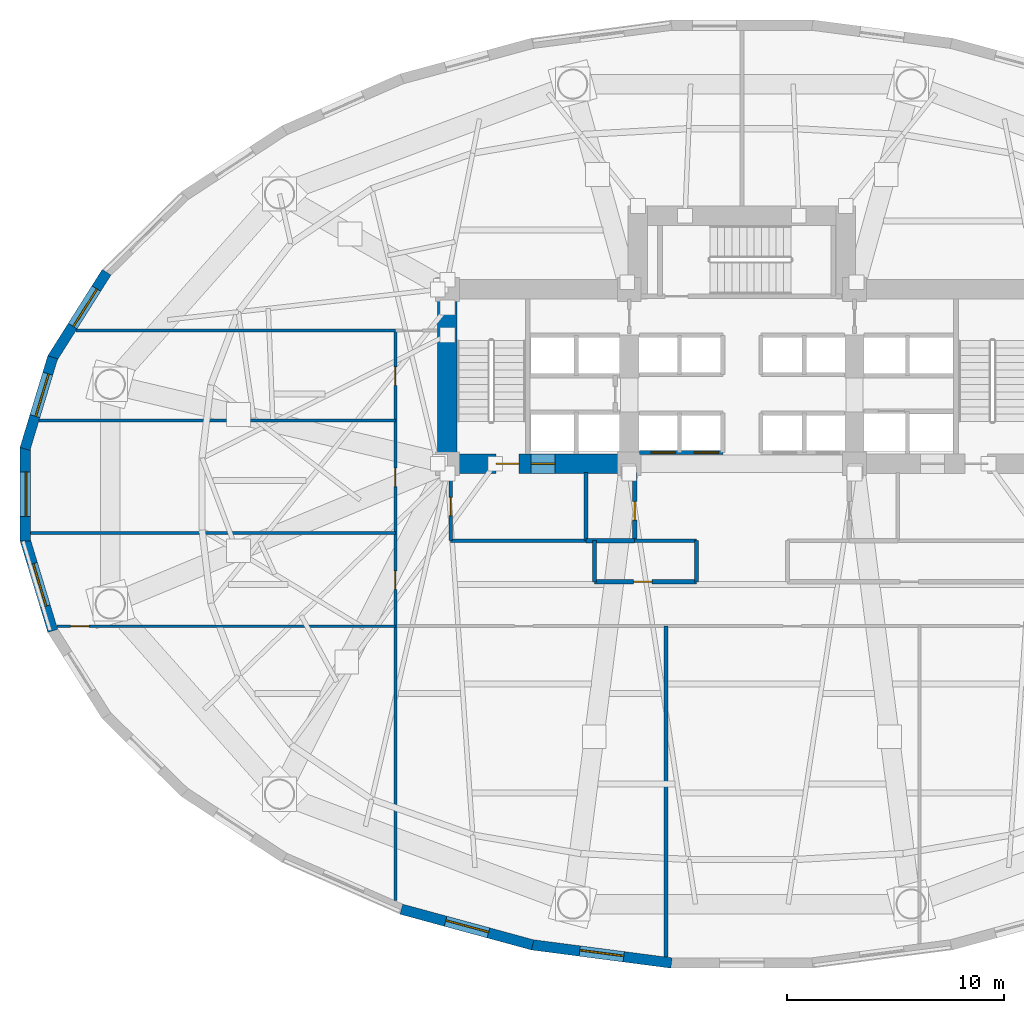
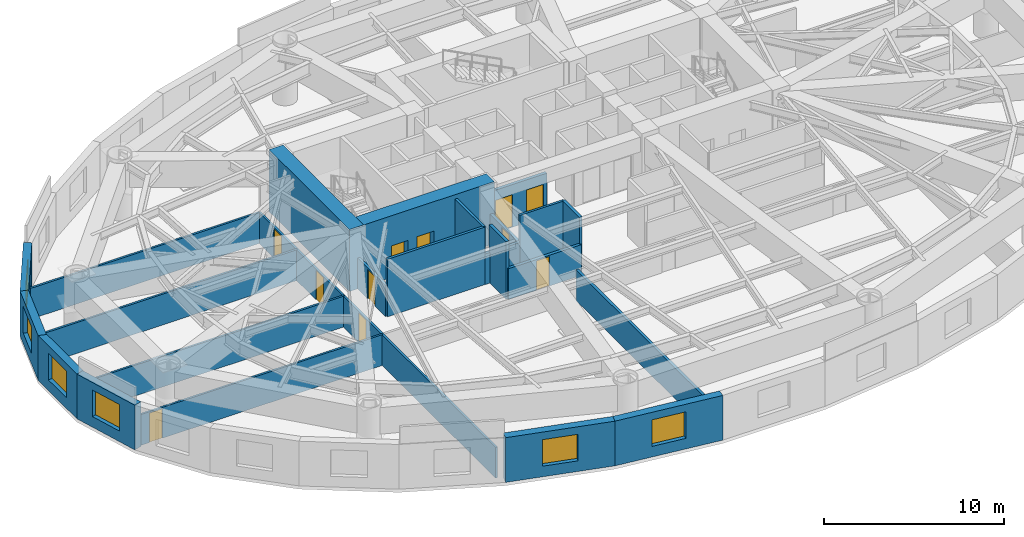
# One storey, part 5 of 14: 24 walls, 11 doors, 6 windows, 17 openings.
"""IFC4 building model written with IfcOpenShell, lengths in metres."""

from ifc_helpers import new_model, si_unit, direction, frame, frame_2d, origin, place, context, subcontext, project, spatial, rectangle, extrude, material, layer, layer_set, type_object, element, fill, save


model = new_model("IFC4")

# Units and contexts
model_context = context("Model", 3, precision=1e-05, world=origin(), true_north=direction((0.0, 1.0)))
body_context = subcontext(model_context, "Body", "Model", "MODEL_VIEW")
ifc_project = project(units=[si_unit("LENGTHUNIT", "METRE"), si_unit("AREAUNIT", "SQUARE_METRE"), si_unit("VOLUMEUNIT", "CUBIC_METRE"), si_unit("PLANEANGLEUNIT", "RADIAN"), si_unit("MASSUNIT", "GRAM", prefix="KILO")], contexts=[model_context])

# Site, building, storey
site_placement = place(None, origin())
site = spatial("IfcSite", under=ifc_project, at=site_placement, CompositionType="ELEMENT")
building_placement = place(site_placement, origin())
building = spatial("IfcBuilding", under=site, at=building_placement, Name="Keldmark Tower", CompositionType="ELEMENT")
storey_placement = place(building_placement, frame((0.0, 0.0, 22.800048828125)))
storey = spatial("IfcBuildingStorey", under=building, at=storey_placement, Name="L05", CompositionType="ELEMENT", Elevation=22.800048828125)

# Wall, openings, doors
ifc_material_1 = material(Name="Acoustic Double-Layer Gypsum Corridor Partition", Category="gypsum")
ifc_layer_1 = layer(ifc_material_1, 0.139892578125)
ifc_layer_set_1 = layer_set([ifc_layer_1], Name="Acoustic Double-Layer Gypsum Corridor Partition")
wall_type_1 = type_object("IfcWallType", Name="Acoustic Corridor Partition 140 mm", PredefinedType="PARTITIONING", material=ifc_layer_set_1)
wall_1_placement = place(storey_placement, frame((-16.0, -18.778076171875, 0.0), z_axis=(0.0, 0.0, 1.0), x_axis=(0.0, 1.0, 0.0)))
wall_1 = element("IfcWall", 1, at=wall_1_placement, inside=storey, type_object=wall_type_1, Name="L05 Acoustic Corridor Partition 140 mm COR-W", PredefinedType="PARTITIONING", context=body_context, shape_type="SweptSolid", body=[
    extrude(rectangle(XDim=26.328125, YDim=0.139892578125, at=frame_2d((13.1640625, 0.0))), origin(), (0.0, 0.0, 1.0), 2.08984375),
])
opening_1_placement = place(wall_1_placement, frame((14.37841796875, 0.0, 0.0)))
opening_1 = element("IfcOpeningElement", 2, at=opening_1_placement, cuts=wall_1, Name="Opening D-CUD85", PredefinedType="OPENING", context=body_context, shape_type="SweptSolid", body=[
    extrude(rectangle(XDim=0.85009765625, YDim=2.0, at=frame_2d((0.425048828125, 1.0))), frame((0.0, 0.079833984375, 0.0), z_axis=(0.0, -1.0, 0.0), x_axis=(1.0, 0.0, 0.0)), (0.0, 0.0, 1.0), 0.159912109375),
])
opening_2_placement = place(wall_1_placement, frame((19.12841796875, 0.0, 0.0)))
opening_2 = element("IfcOpeningElement", 3, at=opening_2_placement, cuts=wall_1, Name="Opening D-CUD85", PredefinedType="OPENING", context=body_context, shape_type="SweptSolid", body=[
    extrude(rectangle(XDim=0.85009765625, YDim=2.0, at=frame_2d((0.425048828125, 1.0))), frame((0.0, 0.079833984375, 0.0), z_axis=(0.0, -1.0, 0.0), x_axis=(1.0, 0.0, 0.0)), (0.0, 0.0, 1.0), 0.159912109375),
])
opening_3_placement = place(wall_1_placement, frame((23.80322265625, 0.0, 0.0)))
opening_3 = element("IfcOpeningElement", 4, at=opening_3_placement, cuts=wall_1, Name="Opening D-CUD85", PredefinedType="OPENING", context=body_context, shape_type="SweptSolid", body=[
    extrude(rectangle(XDim=0.85009765625, YDim=2.0, at=frame_2d((0.425048828125, 1.0))), frame((0.0, 0.079833984375, 0.0), z_axis=(0.0, -1.0, 0.0), x_axis=(1.0, 0.0, 0.0)), (0.0, 0.0, 1.0), 0.159912109375),
])
ifc_material_2 = material(Name="Compact Flush Solid-Core Timber Door", Category="wood")
door_type_1 = type_object("IfcDoorType", Name="Compact Unrated Door 850x2000", OperationType="NOTDEFINED", PredefinedType="DOOR", material=ifc_material_2)
door_1_placement = place(opening_1_placement, origin())
door_1 = element("IfcDoor", 5, at=door_1_placement, inside=storey, type_object=door_type_1, Name="L05 Compact Unrated Door 850x2000 D-WR-1-L05", OperationType="SINGLE_SWING_LEFT", OverallHeight=2.0, OverallWidth=0.85009765625, PredefinedType="DOOR", context=body_context, shape_type="SweptSolid", body=[
    extrude(rectangle(XDim=0.85009765625, YDim=2.0, at=frame_2d((0.425048828125, 1.0))), frame((0.0, 0.02490234375, 0.0), z_axis=(0.0, -1.0, 0.0), x_axis=(1.0, 0.0, 0.0)), (0.0, 0.0, 1.0), 0.050048828125),
])
fill(opening_1, door_1)
door_2_placement = place(opening_2_placement, origin())
door_2 = element("IfcDoor", 6, at=door_2_placement, inside=storey, type_object=door_type_1, Name="L05 Compact Unrated Door 850x2000 D-WR-2-L05", OperationType="SINGLE_SWING_RIGHT", OverallHeight=2.0, OverallWidth=0.85009765625, PredefinedType="DOOR", context=body_context, shape_type="SweptSolid", body=[
    extrude(rectangle(XDim=0.85009765625, YDim=2.0, at=frame_2d((0.425048828125, 1.0))), frame((0.0, 0.02490234375, 0.0), z_axis=(0.0, -1.0, 0.0), x_axis=(1.0, 0.0, 0.0)), (0.0, 0.0, 1.0), 0.050048828125),
])
fill(opening_2, door_2)
door_3_placement = place(opening_3_placement, origin())
door_3 = element("IfcDoor", 7, at=door_3_placement, inside=storey, type_object=door_type_1, Name="L05 Compact Unrated Door 850x2000 D-WR-3-L05", OperationType="SINGLE_SWING_LEFT", OverallHeight=2.0, OverallWidth=0.85009765625, PredefinedType="DOOR", context=body_context, shape_type="SweptSolid", body=[
    extrude(rectangle(XDim=0.85009765625, YDim=2.0, at=frame_2d((0.425048828125, 1.0))), frame((0.0, 0.02490234375, 0.0), z_axis=(0.0, -1.0, 0.0), x_axis=(1.0, 0.0, 0.0)), (0.0, 0.0, 1.0), 0.050048828125),
])
fill(opening_3, door_3)

# Wall
ifc_material_3 = material(Name="STC-58 Insulated Tenant Demising Gypsum Partition", Category="gypsum")
ifc_layer_2 = layer(ifc_material_3, 0.175048828125)
ifc_layer_set_2 = layer_set([ifc_layer_2], Name="STC-58 Insulated Tenant Demising Gypsum Partition")
wall_type_2 = type_object("IfcWallType", Name="Demising Suite Partition 175 mm", PredefinedType="PARTITIONING", material=ifc_layer_set_2)
wall_2_placement = place(storey_placement, frame((-3.5, -21.373779296875, 0.0), z_axis=(0.0, 0.0, 1.0), x_axis=(0.0, 1.0, 0.0)))
element("IfcWall", 8, at=wall_2_placement, inside=storey, type_object=wall_type_2, Name="L05 Demising Suite Partition 175 mm S-DIV-1", PredefinedType="PARTITIONING", context=body_context, shape_type="SweptSolid", body=[
    extrude(rectangle(XDim=15.273681640625, YDim=0.175048828125, at=frame_2d((7.63671875, 0.0))), origin(), (0.0, 0.0, 1.0), 2.08984375),
])

# Wall, opening, door
ifc_material_4 = material(Name="Heavy Acoustic Plumbing Chase Gypsum Assembly", Category="gypsum")
ifc_layer_3 = layer(ifc_material_4, 0.18994140625)
ifc_layer_set_3 = layer_set([ifc_layer_3], Name="Heavy Acoustic Plumbing Chase Gypsum Assembly")
wall_type_3 = type_object("IfcWallType", Name="Heavy Wet Wall 190 mm", PredefinedType="PLUMBINGWALL", material=ifc_layer_set_3)
wall_3_placement = place(storey_placement, frame((-6.800048828125, -4.050048828125, 0.0), z_axis=(0.0, 0.0, 1.0), x_axis=(1.0, 0.0, 0.0)))
wall_3 = element("IfcWall", 9, at=wall_3_placement, inside=storey, type_object=wall_type_3, Name="L05 Heavy Wet Wall 190 mm SPK-W-S", PredefinedType="PLUMBINGWALL", context=body_context, shape_type="SweptSolid", body=[
    extrude(rectangle(XDim=4.699951171875, YDim=0.18994140625, at=frame_2d((2.35009765625, 0.0))), origin(), (0.0, 0.0, 1.0), 2.08984375),
])
opening_4_placement = place(wall_3_placement, frame((1.800048828125, 0.0, 0.0)))
opening_4 = element("IfcOpeningElement", 10, at=opening_4_placement, cuts=wall_3, Name="Opening D-CUD85", PredefinedType="OPENING", context=body_context, shape_type="SweptSolid", body=[
    extrude(rectangle(XDim=0.85009765625, YDim=2.0, at=frame_2d((0.425048828125, 1.0))), frame((0.0, 0.10498046875, 0.0), z_axis=(0.0, -1.0, 0.0), x_axis=(1.0, 0.0, 0.0)), (0.0, 0.0, 1.0), 0.2099609375),
])
door_4_placement = place(opening_4_placement, origin())
door_4 = element("IfcDoor", 11, at=door_4_placement, inside=storey, type_object=door_type_1, Name="L05 Compact Unrated Door 850x2000 D-SPKW1-L05", OperationType="SINGLE_SWING_LEFT", OverallHeight=2.0, OverallWidth=0.85009765625, PredefinedType="DOOR", context=body_context, shape_type="SweptSolid", body=[
    extrude(rectangle(XDim=0.85009765625, YDim=2.0, at=frame_2d((0.425048828125, 1.0))), frame((0.0, 0.02490234375, 0.0), z_axis=(0.0, -1.0, 0.0), x_axis=(1.0, 0.0, 0.0)), (0.0, 0.0, 1.0), 0.050048828125),
])
fill(opening_4, door_4)

# Walls
for number, where, z_axis, x_axis, name in (
    (12, (-6.800048828125, -4.050048828125, 0.0), (0.0, 0.0, 1.0), (0.0, 1.0, 0.0), "L05 Heavy Wet Wall 190 mm SPK-W-W"),
    (13, (-2.10009765625, -4.050048828125, 0.0), (0.0, 0.0, 1.0), (0.0, 1.0, 0.0), "L05 Heavy Wet Wall 190 mm SPK-W-E"),
):
    element("IfcWall", number, at=place(storey_placement, frame(where, z_axis=z_axis, x_axis=x_axis)), inside=storey, type_object=wall_type_3, Name=name, PredefinedType="PLUMBINGWALL", context=body_context, shape_type="SweptSolid", body=[
        extrude(rectangle(XDim=1.900146484375, YDim=0.18994140625, at=frame_2d((0.9501953125, 0.0))), origin(), (0.0, 0.0, 1.0), 3.89990234375),
    ])
ifc_material_5 = material(Name="Acoustic Gypsum Board Interior Partition", Category="gypsum")
ifc_layer_4 = layer(ifc_material_5, 0.1298828125)
ifc_layer_set_4 = layer_set([ifc_layer_4], Name="Acoustic Gypsum Board Interior Partition")
wall_type_4 = type_object("IfcWallType", Name="Interior Partition 130 mm", PredefinedType="PARTITIONING", material=ifc_layer_set_4)
wall_4_placement = place(storey_placement, frame((-30.74658203125, 7.550048828125, 0.0), z_axis=(0.0, 0.0, 1.0), x_axis=(1.0, 0.0, 0.0)))
element("IfcWall", 14, at=wall_4_placement, inside=storey, type_object=wall_type_4, Name="L05 Interior Partition 130 mm W-CAP-N", PredefinedType="PARTITIONING", context=body_context, shape_type="SweptSolid", body=[
    extrude(rectangle(XDim=14.74658203125, YDim=0.1298828125, at=frame_2d((7.373291015625, 0.0))), origin(), (0.0, 0.0, 1.0), 2.08984375),
])

# Wall, opening, door
wall_5_placement = place(storey_placement, frame((-31.63427734375, -6.10009765625, 0.0), z_axis=(0.0, 0.0, 1.0), x_axis=(1.0, 0.0, 0.0)))
wall_5 = element("IfcWall", 15, at=wall_5_placement, inside=storey, type_object=wall_type_4, Name="L05 Interior Partition 130 mm W-CAP-S", PredefinedType="PARTITIONING", context=body_context, shape_type="SweptSolid", body=[
    extrude(rectangle(XDim=15.63427734375, YDim=0.1298828125, at=frame_2d((7.817138671875, 0.0))), origin(), (0.0, 0.0, 1.0), 2.08984375),
])
opening_5_placement = place(wall_5_placement, frame((0.6298828125, 0.0, 0.0)))
opening_5 = element("IfcOpeningElement", 16, at=opening_5_placement, cuts=wall_5, Name="Opening D-CUD85", PredefinedType="OPENING", context=body_context, shape_type="SweptSolid", body=[
    extrude(rectangle(XDim=0.85009765625, YDim=2.0, at=frame_2d((0.425048828125, 1.0))), frame((0.0, 0.074951171875, 0.0), z_axis=(0.0, -1.0, 0.0), x_axis=(1.0, 0.0, 0.0)), (0.0, 0.0, 1.0), 0.14990234375),
])
door_5_placement = place(opening_5_placement, origin())
door_5 = element("IfcDoor", 17, at=door_5_placement, inside=storey, type_object=door_type_1, Name="L05 Compact Unrated Door 850x2000 D-WRSW-L05", OperationType="SINGLE_SWING_LEFT", OverallHeight=2.0, OverallWidth=0.85009765625, PredefinedType="DOOR", context=body_context, shape_type="SweptSolid", body=[
    extrude(rectangle(XDim=0.85009765625, YDim=2.0, at=frame_2d((0.425048828125, 1.0))), frame((0.0, 0.02490234375, 0.0), z_axis=(0.0, -1.0, 0.0), x_axis=(1.0, 0.0, 0.0)), (0.0, 0.0, 1.0), 0.050048828125),
])
fill(opening_5, door_5)

# Walls
wall_6_placement = place(storey_placement, frame((-32.8505859375, -1.800048828125, 0.0), z_axis=(0.0, 0.0, 1.0), x_axis=(1.0, 0.0, 0.0)))
element("IfcWall", 18, at=wall_6_placement, inside=storey, type_object=wall_type_4, Name="L05 Interior Partition 130 mm W-DIV-1", PredefinedType="PARTITIONING", context=body_context, shape_type="SweptSolid", body=[
    extrude(rectangle(XDim=16.8505859375, YDim=0.1298828125, at=frame_2d((8.42529296875, 0.0))), origin(), (0.0, 0.0, 1.0), 2.08984375),
])
wall_7_placement = place(storey_placement, frame((-32.4521484375, 3.39990234375, 0.0), z_axis=(0.0, 0.0, 1.0), x_axis=(1.0, 0.0, 0.0)))
element("IfcWall", 19, at=wall_7_placement, inside=storey, type_object=wall_type_4, Name="L05 Interior Partition 130 mm W-DIV-2", PredefinedType="PARTITIONING", context=body_context, shape_type="SweptSolid", body=[
    extrude(rectangle(XDim=16.4521484375, YDim=0.1298828125, at=frame_2d((8.22607421875, 0.0))), origin(), (0.0, 0.0, 1.0), 2.08984375),
])
ifc_material_6 = material(Name="Concrete C70/85", Category="concrete")
ifc_layer_5 = layer(ifc_material_6, 0.89990234375)
ifc_layer_set_5 = layer_set([ifc_layer_5], Name="Concrete C70/85")
wall_type_5 = type_object("IfcWallType", Name="Lower Core Shear Wall 900 mm", PredefinedType="SHEAR", material=ifc_layer_set_5)
wall_8_placement = place(storey_placement, frame((-13.60009765625, 0.949951171875, 0.0), z_axis=(0.0, 0.0, 1.0), x_axis=(0.0, 1.0, 0.0)))
element("IfcWall", 20, at=wall_8_placement, inside=storey, type_object=wall_type_5, Name="L05 West Core Outer Shear Wall", PredefinedType="SHEAR", context=body_context, shape_type="SweptSolid", body=[
    extrude(rectangle(XDim=8.949951171875, YDim=0.89990234375, at=frame_2d((4.47509765625, 0.0))), origin(), (0.0, 0.0, 1.0), 4.199951171875),
])

# Wall, openings, doors
wall_9_placement = place(storey_placement, frame((-4.75, 1.39990234375, 0.0), z_axis=(0.0, 0.0, 1.0), x_axis=(-1.0, 0.0, 0.0)))
wall_9 = element("IfcWall", 21, at=wall_9_placement, inside=storey, type_object=wall_type_5, Name="L05 West Core South Shear Wall", PredefinedType="SHEAR", context=body_context, shape_type="SweptSolid", body=[
    extrude(rectangle(XDim=9.300048828125, YDim=0.89990234375, at=frame_2d((4.64990234375, 0.0))), origin(), (0.0, 0.0, 1.0), 4.199951171875),
])
opening_6_placement = place(wall_9_placement, frame((5.550048828125, 0.0, 0.0)))
opening_6 = element("IfcOpeningElement", 22, at=opening_6_placement, cuts=wall_9, Name="Opening D-ST105", PredefinedType="OPENING", context=body_context, shape_type="SweptSolid", body=[
    extrude(rectangle(XDim=1.050048828125, YDim=2.14990234375, at=frame_2d((0.52490234375, 1.074951171875))), frame((0.0, 0.4599609375, 0.0), z_axis=(0.0, -1.0, 0.0), x_axis=(1.0, 0.0, 0.0)), (0.0, 0.0, 1.0), 0.919921875),
])
opening_7_placement = place(wall_9_placement, frame((3.8798828125, 0.0, 0.0)))
opening_7 = element("IfcOpeningElement", 23, at=opening_7_placement, cuts=wall_9, Name="Opening LD-110", PredefinedType="OPENING", context=body_context, shape_type="SweptSolid", body=[
    extrude(rectangle(XDim=1.10009765625, YDim=2.199951171875, at=frame_2d((0.550048828125, 1.10009765625))), frame((0.0, 0.4599609375, 0.0), z_axis=(0.0, -1.0, 0.0), x_axis=(1.0, 0.0, 0.0)), (0.0, 0.0, 1.0), 0.919921875),
])
ifc_material_7 = material(Name="Brushed Bronze Hoistway Sliding Leaf", Category="metal")
door_type_2 = type_object("IfcDoorType", Name="Lift Landing Sliding Door 1100x2200", OperationType="SLIDING_TO_LEFT", PredefinedType="DOOR", material=ifc_material_7)
door_6_placement = place(opening_7_placement, origin())
door_6 = element("IfcDoor", 24, at=door_6_placement, inside=storey, type_object=door_type_2, Name="L05 Lift Landing Sliding Door 1100x2200 LD-EL-FS1-L05", OperationType="SLIDING_TO_LEFT", OverallHeight=2.199951171875, OverallWidth=1.10009765625, PredefinedType="DOOR", context=body_context, shape_type="SweptSolid", body=[
    extrude(rectangle(XDim=1.10009765625, YDim=2.199951171875, at=frame_2d((0.550048828125, 1.10009765625))), frame((0.0, 0.02490234375, 0.0), z_axis=(0.0, -1.0, 0.0), x_axis=(1.0, 0.0, 0.0)), (0.0, 0.0, 1.0), 0.050048828125),
])
fill(opening_7, door_6)
ifc_material_8 = material(Name="Hollow Metal Fire-Rated Door Assembly", Category="metal")
door_type_3 = type_object("IfcDoorType", Name="Stair Fire Door 1050x2150", OperationType="NOTDEFINED", PredefinedType="DOOR", material=ifc_material_8)
door_7_placement = place(opening_6_placement, origin())
door_7 = element("IfcDoor", 25, at=door_7_placement, inside=storey, type_object=door_type_3, Name="L05 Stair Fire Door 1050x2150 D-ST1-L05", OperationType="SINGLE_SWING_RIGHT", OverallHeight=2.14990234375, OverallWidth=1.050048828125, PredefinedType="DOOR", context=body_context, shape_type="SweptSolid", body=[
    extrude(rectangle(XDim=1.050048828125, YDim=2.14990234375, at=frame_2d((0.52490234375, 1.074951171875))), frame((0.0, 0.02490234375, 0.0), z_axis=(0.0, -1.0, 0.0), x_axis=(1.0, 0.0, 0.0)), (0.0, 0.0, 1.0), 0.050048828125),
])
fill(opening_6, door_7)

# Wall, opening, window
ifc_material_9 = material(Name="Ironspot Manganese Brick and Kasota Buff Limestone Cavity Assembly", Category="masonry")
ifc_layer_6 = layer(ifc_material_9, 0.47998046875)
ifc_layer_set_6 = layer_set([ifc_layer_6], Name="Ironspot Manganese Brick and Kasota Buff Limestone Cavity Assembly")
wall_type_6 = type_object("IfcWallType", Name="Podium Brick and Limestone Cavity Wall 480 mm", PredefinedType="STANDARD", material=ifc_layer_set_6)
wall_10_placement = place(storey_placement, frame((-31.8544921875, 6.25830078125, 0.0), z_axis=(0.0, 0.0, 1.0), x_axis=(0.53349762721, 0.845801561693, 0.0)))
wall_10 = element("IfcWall", 26, at=wall_10_placement, inside=storey, type_object=wall_type_6, Name="L05 Exterior Brick and Spandrel Wall 14", PredefinedType="STANDARD", context=body_context, shape_type="SweptSolid", body=[
    extrude(rectangle(XDim=4.710693359375, YDim=0.47998046875, at=frame_2d((2.35546875, 0.0))), origin(), (0.0, 0.0, 1.0), 3.032958984375),
])
opening_8_placement = place(wall_10_placement, frame((1.772705078125, 0.0, 0.719970703125)))
opening_8 = element("IfcOpeningElement", 27, at=opening_8_placement, cuts=wall_10, Name="Opening W-07", PredefinedType="OPENING", context=body_context, shape_type="SweptSolid", body=[
    extrude(rectangle(XDim=2.050048828125, YDim=1.800048828125, at=frame_2d((1.02490234375, 0.89990234375))), frame((0.0, 0.25, 0.0), z_axis=(0.0, -1.0, 0.0), x_axis=(1.0, 0.0, 0.0)), (0.0, 0.0, 1.0), 0.5),
])
ifc_material_10 = material(Name="Thermally Broken Anodized Aluminum and Triple Low-E Argon Glazing", Category="aluminium")
window_type = type_object("IfcWindowType", Name="Podium Mezzanine Punched Window 2050x1800", PartitioningType="DOUBLE_PANEL_VERTICAL", PredefinedType="WINDOW", material=ifc_material_10)
window_1_placement = place(opening_8_placement, origin())
window_1 = element("IfcWindow", 28, at=window_1_placement, inside=storey, type_object=window_type, Name="L05 Deep-Set Window 14", OverallHeight=1.800048828125, OverallWidth=2.050048828125, PartitioningType="SINGLE_PANEL", PredefinedType="WINDOW", context=body_context, shape_type="SweptSolid", body=[
    extrude(rectangle(XDim=2.050048828125, YDim=1.800048828125, at=frame_2d((1.02490234375, 0.89990234375))), frame((0.0, -0.010009765625, 0.0), z_axis=(0.0, -1.0, 0.0), x_axis=(1.0, 0.0, 0.0)), (0.0, 0.0, 1.0), 0.06005859375),
])
fill(opening_8, window_1)

wall_11_placement = place(storey_placement, frame((-33.10888671875, 2.0869140625, 0.0), z_axis=(0.0, 0.0, 1.0), x_axis=(0.289855603468, 0.957070388811, 0.0)))
wall_11 = element("IfcWall", 29, at=wall_11_placement, inside=storey, type_object=wall_type_6, Name="L05 Exterior Brick and Spandrel Wall 15", PredefinedType="STANDARD", context=body_context, shape_type="SweptSolid", body=[
    extrude(rectangle(XDim=4.41943359375, YDim=0.47998046875, at=frame_2d((2.209716796875, 0.0))), origin(), (0.0, 0.0, 1.0), 3.032958984375),
])
opening_9_placement = place(wall_11_placement, frame((1.578857421875, 0.0, 0.719970703125)))
opening_9 = element("IfcOpeningElement", 30, at=opening_9_placement, cuts=wall_11, Name="Opening W-07", PredefinedType="OPENING", context=body_context, shape_type="SweptSolid", body=[
    extrude(rectangle(XDim=2.050048828125, YDim=1.800048828125, at=frame_2d((1.02490234375, 0.89990234375))), frame((0.0, 0.25, 0.0), z_axis=(0.0, -1.0, 0.0), x_axis=(1.0, 0.0, 0.0)), (0.0, 0.0, 1.0), 0.5),
])
window_2_placement = place(opening_9_placement, origin())
window_2 = element("IfcWindow", 31, at=window_2_placement, inside=storey, type_object=window_type, Name="L05 Deep-Set Window 15", OverallHeight=1.800048828125, OverallWidth=2.050048828125, PartitioningType="SINGLE_PANEL", PredefinedType="WINDOW", context=body_context, shape_type="SweptSolid", body=[
    extrude(rectangle(XDim=2.050048828125, YDim=1.800048828125, at=frame_2d((1.02490234375, 0.89990234375))), frame((0.0, -0.010009765625, 0.0), z_axis=(0.0, -1.0, 0.0), x_axis=(1.0, 0.0, 0.0)), (0.0, 0.0, 1.0), 0.06005859375),
])
fill(opening_9, window_2)

wall_12_placement = place(storey_placement, frame((-33.0986328125, -2.156494140625, 0.0), z_axis=(0.0, 0.0, 1.0), x_axis=(0.0, 1.0, 0.0)))
wall_12 = element("IfcWall", 32, at=wall_12_placement, inside=storey, type_object=wall_type_6, Name="L05 Exterior Brick and Spandrel Wall 16", PredefinedType="STANDARD", context=body_context, shape_type="SweptSolid", body=[
    extrude(rectangle(XDim=4.31298828125, YDim=0.47998046875, at=frame_2d((2.156494140625, 0.0))), origin(), (0.0, 0.0, 1.0), 3.032958984375),
])
opening_10_placement = place(wall_12_placement, frame((1.13134765625, 0.0, 0.719970703125)))
opening_10 = element("IfcOpeningElement", 33, at=opening_10_placement, cuts=wall_12, Name="Opening W-07", PredefinedType="OPENING", context=body_context, shape_type="SweptSolid", body=[
    extrude(rectangle(XDim=2.050048828125, YDim=1.800048828125, at=frame_2d((1.02490234375, 0.89990234375))), frame((0.0, 0.25, 0.0), z_axis=(0.0, -1.0, 0.0), x_axis=(1.0, 0.0, 0.0)), (0.0, 0.0, 1.0), 0.5),
])
window_3_placement = place(opening_10_placement, origin())
window_3 = element("IfcWindow", 34, at=window_3_placement, inside=storey, type_object=window_type, Name="L05 Deep-Set Window 16", OverallHeight=1.800048828125, OverallWidth=2.050048828125, PartitioningType="SINGLE_PANEL", PredefinedType="WINDOW", context=body_context, shape_type="SweptSolid", body=[
    extrude(rectangle(XDim=2.050048828125, YDim=1.800048828125, at=frame_2d((1.02490234375, 0.89990234375))), frame((0.0, -0.010009765625, 0.0), z_axis=(0.0, -1.0, 0.0), x_axis=(1.0, 0.0, 0.0)), (0.0, 0.0, 1.0), 0.06005859375),
])
fill(opening_10, window_3)

wall_13_placement = place(storey_placement, frame((-31.827880859375, -6.316650390625, 0.0), z_axis=(0.0, 0.0, 1.0), x_axis=(-0.289855603468, 0.957070388811, 0.0)))
wall_13 = element("IfcWall", 35, at=wall_13_placement, inside=storey, type_object=wall_type_6, Name="L05 Exterior Brick and Spandrel Wall 17", PredefinedType="STANDARD", context=body_context, shape_type="SweptSolid", body=[
    extrude(rectangle(XDim=4.41943359375, YDim=0.47998046875, at=frame_2d((2.209716796875, 0.0))), origin(), (0.0, 0.0, 1.0), 3.032958984375),
])
opening_11_placement = place(wall_13_placement, frame((1.184814453125, 0.0, 0.719970703125)))
opening_11 = element("IfcOpeningElement", 36, at=opening_11_placement, cuts=wall_13, Name="Opening W-07", PredefinedType="OPENING", context=body_context, shape_type="SweptSolid", body=[
    extrude(rectangle(XDim=2.050048828125, YDim=1.800048828125, at=frame_2d((1.02490234375, 0.89990234375))), frame((0.0, 0.25, 0.0), z_axis=(0.0, -1.0, 0.0), x_axis=(1.0, 0.0, 0.0)), (0.0, 0.0, 1.0), 0.5),
])
window_4_placement = place(opening_11_placement, origin())
window_4 = element("IfcWindow", 37, at=window_4_placement, inside=storey, type_object=window_type, Name="L05 Deep-Set Window 17", OverallHeight=1.800048828125, OverallWidth=2.050048828125, PartitioningType="SINGLE_PANEL", PredefinedType="WINDOW", context=body_context, shape_type="SweptSolid", body=[
    extrude(rectangle(XDim=2.050048828125, YDim=1.800048828125, at=frame_2d((1.02490234375, 0.89990234375))), frame((0.0, -0.010009765625, 0.0), z_axis=(0.0, -1.0, 0.0), x_axis=(1.0, 0.0, 0.0)), (0.0, 0.0, 1.0), 0.06005859375),
])
fill(opening_11, window_4)

wall_14_placement = place(storey_placement, frame((-9.66162109375, -20.821044921875, 0.0), z_axis=(0.0, 0.0, 1.0), x_axis=(-0.964936550718, 0.262483243445, 0.0)))
wall_14 = element("IfcWall", 38, at=wall_14_placement, inside=storey, type_object=wall_type_6, Name="L05 Exterior Brick and Spandrel Wall 22", PredefinedType="STANDARD", context=body_context, shape_type="SweptSolid", body=[
    extrude(rectangle(XDim=6.28759765625, YDim=0.47998046875, at=frame_2d((3.143798828125, 0.0))), origin(), (0.0, 0.0, 1.0), 3.032958984375),
])
opening_12_placement = place(wall_14_placement, frame((2.118896484375, 0.0, 0.719970703125)))
opening_12 = element("IfcOpeningElement", 39, at=opening_12_placement, cuts=wall_14, Name="Opening W-07", PredefinedType="OPENING", context=body_context, shape_type="SweptSolid", body=[
    extrude(rectangle(XDim=2.050048828125, YDim=1.800048828125, at=frame_2d((1.02490234375, 0.89990234375))), frame((0.0, 0.25, 0.0), z_axis=(0.0, -1.0, 0.0), x_axis=(1.0, 0.0, 0.0)), (0.0, 0.0, 1.0), 0.5),
])
window_5_placement = place(opening_12_placement, origin())
window_5 = element("IfcWindow", 40, at=window_5_placement, inside=storey, type_object=window_type, Name="L05 Deep-Set Window 22", OverallHeight=1.800048828125, OverallWidth=2.050048828125, PartitioningType="SINGLE_PANEL", PredefinedType="WINDOW", context=body_context, shape_type="SweptSolid", body=[
    extrude(rectangle(XDim=2.050048828125, YDim=1.800048828125, at=frame_2d((1.02490234375, 0.89990234375))), frame((0.0, -0.010009765625, 0.0), z_axis=(0.0, -1.0, 0.0), x_axis=(1.0, 0.0, 0.0)), (0.0, 0.0, 1.0), 0.06005859375),
])
fill(opening_12, window_5)

wall_15_placement = place(storey_placement, frame((-3.25244140625, -21.656005859375, 0.0), z_axis=(0.0, 0.0, 1.0), x_axis=(-0.991576921472, 0.129519144545, 0.0)))
wall_15 = element("IfcWall", 41, at=wall_15_placement, inside=storey, type_object=wall_type_6, Name="L05 Exterior Brick and Spandrel Wall 23", PredefinedType="STANDARD", context=body_context, shape_type="SweptSolid", body=[
    extrude(rectangle(XDim=6.49560546875, YDim=0.47998046875, at=frame_2d((3.247802734375, 0.0))), origin(), (0.0, 0.0, 1.0), 3.032958984375),
])
opening_13_placement = place(wall_15_placement, frame((2.222900390625, 0.0, 0.719970703125)))
opening_13 = element("IfcOpeningElement", 42, at=opening_13_placement, cuts=wall_15, Name="Opening W-07", PredefinedType="OPENING", context=body_context, shape_type="SweptSolid", body=[
    extrude(rectangle(XDim=2.050048828125, YDim=1.800048828125, at=frame_2d((1.02490234375, 0.89990234375))), frame((0.0, 0.25, 0.0), z_axis=(0.0, -1.0, 0.0), x_axis=(1.0, 0.0, 0.0)), (0.0, 0.0, 1.0), 0.5),
])
window_6_placement = place(opening_13_placement, origin())
window_6 = element("IfcWindow", 43, at=window_6_placement, inside=storey, type_object=window_type, Name="L05 Deep-Set Window 23", OverallHeight=1.800048828125, OverallWidth=2.050048828125, PartitioningType="SINGLE_PANEL", PredefinedType="WINDOW", context=body_context, shape_type="SweptSolid", body=[
    extrude(rectangle(XDim=2.050048828125, YDim=1.800048828125, at=frame_2d((1.02490234375, 0.89990234375))), frame((0.0, -0.010009765625, 0.0), z_axis=(0.0, -1.0, 0.0), x_axis=(1.0, 0.0, 0.0)), (0.0, 0.0, 1.0), 0.06005859375),
])
fill(opening_13, window_6)

# Wall
ifc_material_11 = material(Name="Type X Fire-Rated Gypsum Partition Assembly", Category="gypsum")
ifc_layer_7 = layer(ifc_material_11, 0.1650390625)
ifc_layer_set_7 = layer_set([ifc_layer_7], Name="Type X Fire-Rated Gypsum Partition Assembly")
wall_type_7 = type_object("IfcWallType", Name="Rated Partition 165 mm", PredefinedType="PARTITIONING", material=ifc_layer_set_7)
wall_16_placement = place(storey_placement, frame((-13.449951171875, -2.14990234375, 0.0), z_axis=(0.0, 0.0, 1.0), x_axis=(1.0, 0.0, 0.0)))
element("IfcWall", 44, at=wall_16_placement, inside=storey, type_object=wall_type_7, Name="L05 Rated Partition 165 mm FSAE-W-S", PredefinedType="PARTITIONING", context=body_context, shape_type="SweptSolid", body=[
    extrude(rectangle(XDim=6.25, YDim=0.1650390625, at=frame_2d((3.125, 0.0))), origin(), (0.0, 0.0, 1.0), 3.89990234375),
])

# Wall, opening, door
wall_17_placement = place(storey_placement, frame((-13.449951171875, -2.14990234375, 0.0), z_axis=(0.0, 0.0, 1.0), x_axis=(0.0, 1.0, 0.0)))
wall_17 = element("IfcWall", 45, at=wall_17_placement, inside=storey, type_object=wall_type_7, Name="L05 Rated Partition 165 mm FSAE-W-W", PredefinedType="PARTITIONING", context=body_context, shape_type="SweptSolid", body=[
    extrude(rectangle(XDim=3.14990234375, YDim=0.1650390625, at=frame_2d((1.574951171875, 0.0))), origin(), (0.0, 0.0, 1.0), 2.08984375),
])
opening_14_placement = place(wall_17_placement, frame((1.14990234375, 0.0, 0.0)))
opening_14 = element("IfcOpeningElement", 46, at=opening_14_placement, cuts=wall_17, Name="Opening D-CFD85", PredefinedType="OPENING", context=body_context, shape_type="SweptSolid", body=[
    extrude(rectangle(XDim=0.85009765625, YDim=2.0, at=frame_2d((0.425048828125, 1.0))), frame((0.0, 0.092529296875, 0.0), z_axis=(0.0, -1.0, 0.0), x_axis=(1.0, 0.0, 0.0)), (0.0, 0.0, 1.0), 0.18505859375),
])
ifc_material_12 = material(Name="Compact Headroom Fire-Rated Hollow Metal Door", Category="metal")
door_type_4 = type_object("IfcDoorType", Name="Compact Service Fire Door 850x2000", OperationType="NOTDEFINED", PredefinedType="DOOR", material=ifc_material_12)
door_8_placement = place(opening_14_placement, origin())
door_8 = element("IfcDoor", 47, at=door_8_placement, inside=storey, type_object=door_type_4, Name="L05 Compact Service Fire Door 850x2000 D-FSAEW-OUT-L05", OperationType="SINGLE_SWING_LEFT", OverallHeight=2.0, OverallWidth=0.85009765625, PredefinedType="DOOR", context=body_context, shape_type="SweptSolid", body=[
    extrude(rectangle(XDim=0.85009765625, YDim=2.0, at=frame_2d((0.425048828125, 1.0))), frame((0.0, 0.02490234375, 0.0), z_axis=(0.0, -1.0, 0.0), x_axis=(1.0, 0.0, 0.0)), (0.0, 0.0, 1.0), 0.050048828125),
])
fill(opening_14, door_8)

# Walls
wall_18_placement = place(storey_placement, frame((-7.199951171875, -2.14990234375, 0.0), z_axis=(0.0, 0.0, 1.0), x_axis=(0.0, 1.0, 0.0)))
element("IfcWall", 48, at=wall_18_placement, inside=storey, type_object=wall_type_7, Name="L05 Rated Partition 165 mm FSAE-W-E", PredefinedType="PARTITIONING", context=body_context, shape_type="SweptSolid", body=[
    extrude(rectangle(XDim=3.14990234375, YDim=0.1650390625, at=frame_2d((1.574951171875, 0.0))), origin(), (0.0, 0.0, 1.0), 3.89990234375),
])
ifc_material_13 = material(Name="Fire-Resistant Type X Gypsum Shaftliner Coreboard", Category="gypsum")
ifc_layer_8 = layer(ifc_material_13, 0.199951171875)
ifc_layer_set_8 = layer_set([ifc_layer_8], Name="Fire-Resistant Type X Gypsum Shaftliner Coreboard")
wall_type_8 = type_object("IfcWallType", Name="Shaft Wall 200 mm", PredefinedType="SOLIDWALL", material=ifc_layer_set_8)
wall_19_placement = place(storey_placement, frame((-7.199951171875, -2.14990234375, 0.0), z_axis=(0.0, 0.0, 1.0), x_axis=(1.0, 0.0, 0.0)))
element("IfcWall", 49, at=wall_19_placement, inside=storey, type_object=wall_type_8, Name="L05 Shaft Wall 200 mm RIS-SW-S", PredefinedType="SOLIDWALL", context=body_context, shape_type="SweptSolid", body=[
    extrude(rectangle(XDim=2.25, YDim=0.199951171875, at=frame_2d((1.125, 0.0))), origin(), (0.0, 0.0, 1.0), 2.08984375),
])

# Wall, opening, door
wall_20_placement = place(storey_placement, frame((-4.949951171875, -2.14990234375, 0.0), z_axis=(0.0, 0.0, 1.0), x_axis=(0.0, 1.0, 0.0)))
wall_20 = element("IfcWall", 50, at=wall_20_placement, inside=storey, type_object=wall_type_8, Name="L05 Shaft Wall 200 mm RIS-SW-E", PredefinedType="SOLIDWALL", context=body_context, shape_type="SweptSolid", body=[
    extrude(rectangle(XDim=3.14990234375, YDim=0.199951171875, at=frame_2d((1.574951171875, 0.0))), origin(), (0.0, 0.0, 1.0), 2.08984375),
])
opening_15_placement = place(wall_20_placement, frame((0.949951171875, 0.0, 0.0)))
opening_15 = element("IfcOpeningElement", 51, at=opening_15_placement, cuts=wall_20, Name="Opening D-CFD85", PredefinedType="OPENING", context=body_context, shape_type="SweptSolid", body=[
    extrude(rectangle(XDim=0.85009765625, YDim=2.0, at=frame_2d((0.425048828125, 1.0))), frame((0.0, 0.10986328125, 0.0), z_axis=(0.0, -1.0, 0.0), x_axis=(1.0, 0.0, 0.0)), (0.0, 0.0, 1.0), 0.219970703125),
])
door_9_placement = place(opening_15_placement, origin())
door_9 = element("IfcDoor", 52, at=door_9_placement, inside=storey, type_object=door_type_4, Name="L05 Compact Service Fire Door 850x2000 D-RISSW-L05", OperationType="SINGLE_SWING_RIGHT", OverallHeight=2.0, OverallWidth=0.85009765625, PredefinedType="DOOR", context=body_context, shape_type="SweptSolid", body=[
    extrude(rectangle(XDim=0.85009765625, YDim=2.0, at=frame_2d((0.425048828125, 1.0))), frame((0.0, 0.02490234375, 0.0), z_axis=(0.0, -1.0, 0.0), x_axis=(1.0, 0.0, 0.0)), (0.0, 0.0, 1.0), 0.050048828125),
])
fill(opening_15, door_9)

# Wall, openings, doors
wall_21_placement = place(storey_placement, frame((-4.739990234375, 1.919921875, 0.0), z_axis=(0.0, 0.0, 1.0), x_axis=(1.0, 0.0, 0.0)))
wall_21 = element("IfcWall", 53, at=wall_21_placement, inside=storey, type_object=wall_type_8, Name="L05 Shaft Wall 200 mm LOW-S-W", PredefinedType="SOLIDWALL", context=body_context, shape_type="SweptSolid", body=[
    extrude(rectangle(XDim=3.860107421875, YDim=0.199951171875, at=frame_2d((1.93017578125, 0.0))), origin(), (0.0, 0.0, 1.0), 2.889892578125),
])
opening_16_placement = place(wall_21_placement, frame((0.550048828125, 0.0, 0.0)))
opening_16 = element("IfcOpeningElement", 54, at=opening_16_placement, cuts=wall_21, Name="Opening LD-110", PredefinedType="OPENING", context=body_context, shape_type="SweptSolid", body=[
    extrude(rectangle(XDim=1.10009765625, YDim=2.199951171875, at=frame_2d((0.550048828125, 1.10009765625))), frame((0.0, 0.10986328125, 0.0), z_axis=(0.0, -1.0, 0.0), x_axis=(1.0, 0.0, 0.0)), (0.0, 0.0, 1.0), 0.219970703125),
])
opening_17_placement = place(wall_21_placement, frame((2.550048828125, 0.0, 0.0)))
opening_17 = element("IfcOpeningElement", 55, at=opening_17_placement, cuts=wall_21, Name="Opening LD-110", PredefinedType="OPENING", context=body_context, shape_type="SweptSolid", body=[
    extrude(rectangle(XDim=1.10009765625, YDim=2.199951171875, at=frame_2d((0.550048828125, 1.10009765625))), frame((0.0, 0.10986328125, 0.0), z_axis=(0.0, -1.0, 0.0), x_axis=(1.0, 0.0, 0.0)), (0.0, 0.0, 1.0), 0.219970703125),
])
door_10_placement = place(opening_16_placement, origin())
door_10 = element("IfcDoor", 56, at=door_10_placement, inside=storey, type_object=door_type_2, Name="L05 Lift Landing Sliding Door 1100x2200 LD-EL-L1-L05", OperationType="SLIDING_TO_LEFT", OverallHeight=2.199951171875, OverallWidth=1.10009765625, PredefinedType="DOOR", context=body_context, shape_type="SweptSolid", body=[
    extrude(rectangle(XDim=1.10009765625, YDim=2.199951171875, at=frame_2d((0.550048828125, 1.10009765625))), frame((0.0, 0.02490234375, 0.0), z_axis=(0.0, -1.0, 0.0), x_axis=(1.0, 0.0, 0.0)), (0.0, 0.0, 1.0), 0.050048828125),
])
fill(opening_16, door_10)
door_11_placement = place(opening_17_placement, origin())
door_11 = element("IfcDoor", 57, at=door_11_placement, inside=storey, type_object=door_type_2, Name="L05 Lift Landing Sliding Door 1100x2200 LD-EL-L2-L05", OperationType="SLIDING_TO_LEFT", OverallHeight=2.199951171875, OverallWidth=1.10009765625, PredefinedType="DOOR", context=body_context, shape_type="SweptSolid", body=[
    extrude(rectangle(XDim=1.10009765625, YDim=2.199951171875, at=frame_2d((0.550048828125, 1.10009765625))), frame((0.0, 0.02490234375, 0.0), z_axis=(0.0, -1.0, 0.0), x_axis=(1.0, 0.0, 0.0)), (0.0, 0.0, 1.0), 0.050048828125),
])
fill(opening_17, door_11)

# Wall
ifc_material_14 = material(Name="Moisture-Resistant Gypsum Plumbing Partition", Category="gypsum")
ifc_layer_9 = layer(ifc_material_14, 0.14990234375)
ifc_layer_set_9 = layer_set([ifc_layer_9], Name="Moisture-Resistant Gypsum Plumbing Partition")
wall_type_9 = type_object("IfcWallType", Name="Wet Wall 150 mm", PredefinedType="PLUMBINGWALL", material=ifc_layer_set_9)
wall_22_placement = place(storey_placement, frame((-4.949951171875, -2.14990234375, 0.0), z_axis=(0.0, 0.0, 1.0), x_axis=(1.0, 0.0, 0.0)))
element("IfcWall", 58, at=wall_22_placement, inside=storey, type_object=wall_type_9, Name="L05 Wet Wall 150 mm SPK-W-N", PredefinedType="PLUMBINGWALL", context=body_context, shape_type="SweptSolid", body=[
    extrude(rectangle(XDim=2.849853515625, YDim=0.14990234375, at=frame_2d((1.4248046875, 0.0))), origin(), (0.0, 0.0, 1.0), 3.89990234375),
])

save(model, "model.ifc")
